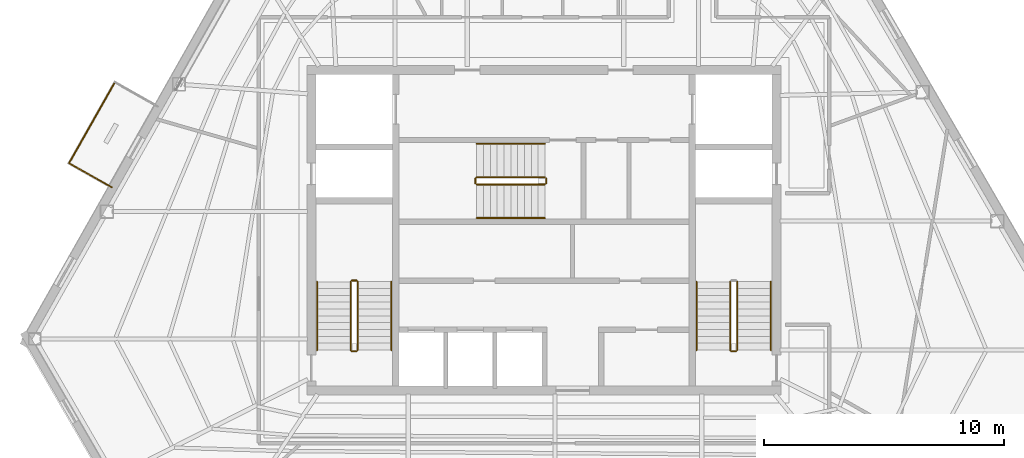
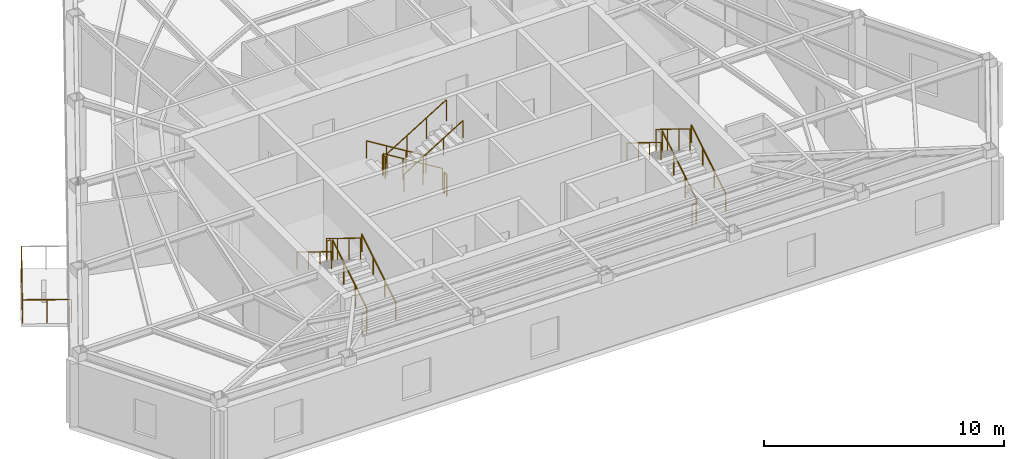
# One storey, part 8 of 10: 19 railings.
"""IFC4 building model written with IfcOpenShell, lengths in metres."""

from ifc_helpers import new_model, si_unit, direction, frame, origin, origin_2d, place, context, subcontext, project, spatial, circle, extrude, material, type_object, element, save


model = new_model("IFC4")

# Units and contexts
model_context = context("Model", 3, precision=1e-05, world=origin(), true_north=direction((0.0, 1.0)))
body_context = subcontext(model_context, "Body", "Model", "MODEL_VIEW")
ifc_project = project(units=[si_unit("LENGTHUNIT", "METRE"), si_unit("AREAUNIT", "SQUARE_METRE"), si_unit("VOLUMEUNIT", "CUBIC_METRE"), si_unit("PLANEANGLEUNIT", "RADIAN"), si_unit("MASSUNIT", "GRAM", prefix="KILO")], contexts=[model_context])

# Site, building, storey
site_placement = place(None, origin())
site = spatial("IfcSite", under=ifc_project, at=site_placement, CompositionType="ELEMENT")
building_placement = place(site_placement, origin())
building = spatial("IfcBuilding", under=site, at=building_placement, Name="Kavelnor Concourse Tower", CompositionType="ELEMENT")
storey_placement = place(building_placement, frame((0.0, 0.0, 247.199951171875)))
storey = spatial("IfcBuildingStorey", under=building, at=storey_placement, Name="L62", CompositionType="ELEMENT", Elevation=247.199951171875)

# Railings
ifc_material_1 = material(Name="Steel Grade 350", Category="steel")
railing_type_1 = type_object("IfcRailingType", Name="RLG-GUARD-1100", PredefinedType="GUARDRAIL", material=ifc_material_1)
railing_1_placement = place(storey_placement, frame((30.22998046875, 11.10009765625, 0.175048828125)))
element("IfcRailing", 1, at=railing_1_placement, inside=storey, type_object=railing_type_1, Name="L62 ST1 stair guard 1", PredefinedType="GUARDRAIL", context=body_context, shape_type="SweptSolid", body=[
    extrude(circle(Radius=0.02392578125, at=origin_2d()), frame((0.0, 0.0, 1.076171875), z_axis=(0.0, 0.852159232446, 0.523282564737), x_axis=(-1.0, 0.0, 0.0)), (0.0, 0.0, 1.0), 3.34423828125),
    extrude(circle(Radius=0.02099609375, at=origin_2d()), origin(), (0.0, 0.0, 1.0), 1.052001953125),
    extrude(circle(Radius=0.02099609375, at=origin_2d()), frame((0.0, 0.949951171875, 0.583251953125)), (0.0, 0.0, 1.0), 1.052001953125),
    extrude(circle(Radius=0.02099609375, at=origin_2d()), frame((0.0, 1.89990234375, 1.166748046875)), (0.0, 0.0, 1.0), 1.052001953125),
    extrude(circle(Radius=0.02099609375, at=origin_2d()), frame((0.0, 2.849853515625, 1.75)), (0.0, 0.0, 1.0), 1.052001953125),
])
railing_2_placement = place(storey_placement, frame((30.179931640625, 14.0, 1.925048828125)))
element("IfcRailing", 2, at=railing_2_placement, inside=storey, type_object=railing_type_1, Name="L62 ST1 stair guard 2", PredefinedType="GUARDRAIL", context=body_context, shape_type="SweptSolid", body=[
    extrude(circle(Radius=0.02392578125, at=origin_2d()), frame((0.0, 0.0, 1.076171875), z_axis=(-1.0, 0.0, 0.0), x_axis=(0.0, -1.0, 0.0)), (0.0, 0.0, 1.0), 0.199951171875),
    extrude(circle(Radius=0.02099609375, at=origin_2d()), origin(), (0.0, 0.0, 1.0), 1.052001953125),
    extrude(circle(Radius=0.02099609375, at=origin_2d()), frame((-0.199951171875, 0.0, 0.0)), (0.0, 0.0, 1.0), 1.052001953125),
])
railing_3_placement = place(storey_placement, frame((29.929931640625, 13.949951171875, 2.10009765625)))
element("IfcRailing", 3, at=railing_3_placement, inside=storey, type_object=railing_type_1, Name="L62 ST1 stair guard 3", PredefinedType="GUARDRAIL", context=body_context, shape_type="SweptSolid", body=[
    extrude(circle(Radius=0.02392578125, at=origin_2d()), frame((0.0, 0.0, 1.076171875), z_axis=(0.0, -0.852159232446, 0.523282564737), x_axis=(1.0, 0.0, 0.0)), (0.0, 0.0, 1.0), 3.34423828125),
    extrude(circle(Radius=0.02099609375, at=origin_2d()), origin(), (0.0, 0.0, 1.0), 1.052001953125),
    extrude(circle(Radius=0.02099609375, at=origin_2d()), frame((0.0, -0.949951171875, 0.583251953125)), (0.0, 0.0, 1.0), 1.052001953125),
    extrude(circle(Radius=0.02099609375, at=origin_2d()), frame((0.0, -1.89990234375, 1.166748046875)), (0.0, 0.0, 1.0), 1.052001953125),
    extrude(circle(Radius=0.02099609375, at=origin_2d()), frame((0.0, -2.849853515625, 1.75)), (0.0, 0.0, 1.0), 1.052001953125),
])
railing_4_placement = place(storey_placement, frame((30.179931640625, 11.050048828125, 0.0)))
element("IfcRailing", 4, at=railing_4_placement, inside=storey, type_object=railing_type_1, Name="L62 ST1 stair guard 4", PredefinedType="GUARDRAIL", context=body_context, shape_type="SweptSolid", body=[
    extrude(circle(Radius=0.02392578125, at=origin_2d()), frame((0.0, 0.0, 1.076171875), z_axis=(-1.0, 0.0, 0.0), x_axis=(0.0, -1.0, 0.0)), (0.0, 0.0, 1.0), 0.199951171875),
    extrude(circle(Radius=0.02099609375, at=origin_2d()), origin(), (0.0, 0.0, 1.0), 1.052001953125),
    extrude(circle(Radius=0.02099609375, at=origin_2d()), frame((-0.199951171875, 0.0, 0.0)), (0.0, 0.0, 1.0), 1.052001953125),
])
railing_5_placement = place(storey_placement, frame((46.070068359375, 11.10009765625, 0.175048828125)))
element("IfcRailing", 5, at=railing_5_placement, inside=storey, type_object=railing_type_1, Name="L62 ST2 stair guard 1", PredefinedType="GUARDRAIL", context=body_context, shape_type="SweptSolid", body=[
    extrude(circle(Radius=0.02392578125, at=origin_2d()), frame((0.0, 0.0, 1.076171875), z_axis=(0.0, 0.852159232446, 0.523282564737), x_axis=(-1.0, 0.0, 0.0)), (0.0, 0.0, 1.0), 3.34423828125),
    extrude(circle(Radius=0.02099609375, at=origin_2d()), origin(), (0.0, 0.0, 1.0), 1.052001953125),
    extrude(circle(Radius=0.02099609375, at=origin_2d()), frame((0.0, 0.949951171875, 0.583251953125)), (0.0, 0.0, 1.0), 1.052001953125),
    extrude(circle(Radius=0.02099609375, at=origin_2d()), frame((0.0, 1.89990234375, 1.166748046875)), (0.0, 0.0, 1.0), 1.052001953125),
    extrude(circle(Radius=0.02099609375, at=origin_2d()), frame((0.0, 2.849853515625, 1.75)), (0.0, 0.0, 1.0), 1.052001953125),
])
railing_6_placement = place(storey_placement, frame((45.77001953125, 13.949951171875, 2.10009765625)))
element("IfcRailing", 6, at=railing_6_placement, inside=storey, type_object=railing_type_1, Name="L62 ST2 stair guard 3", PredefinedType="GUARDRAIL", context=body_context, shape_type="SweptSolid", body=[
    extrude(circle(Radius=0.02392578125, at=origin_2d()), frame((0.0, 0.0, 1.076171875), z_axis=(0.0, -0.852159232446, 0.523282564737), x_axis=(1.0, 0.0, 0.0)), (0.0, 0.0, 1.0), 3.34423828125),
    extrude(circle(Radius=0.02099609375, at=origin_2d()), origin(), (0.0, 0.0, 1.0), 1.052001953125),
    extrude(circle(Radius=0.02099609375, at=origin_2d()), frame((0.0, -0.949951171875, 0.583251953125)), (0.0, 0.0, 1.0), 1.052001953125),
    extrude(circle(Radius=0.02099609375, at=origin_2d()), frame((0.0, -1.89990234375, 1.166748046875)), (0.0, 0.0, 1.0), 1.052001953125),
    extrude(circle(Radius=0.02099609375, at=origin_2d()), frame((0.0, -2.849853515625, 1.75)), (0.0, 0.0, 1.0), 1.052001953125),
])
railing_7_placement = place(storey_placement, frame((46.02001953125, 11.050048828125, 0.0)))
element("IfcRailing", 7, at=railing_7_placement, inside=storey, type_object=railing_type_1, Name="L62 ST2 stair guard 4", PredefinedType="GUARDRAIL", context=body_context, shape_type="SweptSolid", body=[
    extrude(circle(Radius=0.02392578125, at=origin_2d()), frame((0.0, 0.0, 1.076171875), z_axis=(-1.0, 0.0, 0.0), x_axis=(0.0, -1.0, 0.0)), (0.0, 0.0, 1.0), 0.199951171875),
    extrude(circle(Radius=0.02099609375, at=origin_2d()), origin(), (0.0, 0.0, 1.0), 1.052001953125),
    extrude(circle(Radius=0.02099609375, at=origin_2d()), frame((-0.199951171875, 0.0, 0.0)), (0.0, 0.0, 1.0), 1.052001953125),
])
railing_8_placement = place(storey_placement, frame((38.0400390625, 18.31005859375, 0.175048828125)))
element("IfcRailing", 8, at=railing_8_placement, inside=storey, type_object=railing_type_1, Name="L62 ST3 stair guard 1", PredefinedType="GUARDRAIL", context=body_context, shape_type="SweptSolid", body=[
    extrude(circle(Radius=0.02392578125, at=origin_2d()), frame((0.0, 0.0, 1.076171875), z_axis=(-0.852179220489, 0.0, 0.52325001306), x_axis=(0.0, -1.0, 0.0)), (0.0, 0.0, 1.0), 3.344482421875),
    extrude(circle(Radius=0.02099609375, at=origin_2d()), origin(), (0.0, 0.0, 1.0), 1.052001953125),
    extrude(circle(Radius=0.02099609375, at=origin_2d()), frame((-0.949951171875, 0.0, 0.583251953125)), (0.0, 0.0, 1.0), 1.052001953125),
    extrude(circle(Radius=0.02099609375, at=origin_2d()), frame((-1.900146484375, 0.0, 1.166748046875)), (0.0, 0.0, 1.0), 1.052001953125),
    extrude(circle(Radius=0.02099609375, at=origin_2d()), frame((-2.85009765625, 0.0, 1.75)), (0.0, 0.0, 1.0), 1.052001953125),
])
railing_9_placement = place(storey_placement, frame((35.139892578125, 18.260009765625, 1.925048828125)))
element("IfcRailing", 9, at=railing_9_placement, inside=storey, type_object=railing_type_1, Name="L62 ST3 stair guard 2", PredefinedType="GUARDRAIL", context=body_context, shape_type="SweptSolid", body=[
    extrude(circle(Radius=0.02392578125, at=origin_2d()), frame((0.0, 0.0, 1.076171875), z_axis=(0.0, -1.0, 0.0), x_axis=(1.0, 0.0, 0.0)), (0.0, 0.0, 1.0), 0.199951171875),
    extrude(circle(Radius=0.02099609375, at=origin_2d()), origin(), (0.0, 0.0, 1.0), 1.052001953125),
    extrude(circle(Radius=0.02099609375, at=origin_2d()), frame((0.0, -0.199951171875, 0.0)), (0.0, 0.0, 1.0), 1.052001953125),
])
railing_10_placement = place(storey_placement, frame((35.18994140625, 18.010009765625, 2.10009765625)))
element("IfcRailing", 10, at=railing_10_placement, inside=storey, type_object=railing_type_1, Name="L62 ST3 stair guard 3", PredefinedType="GUARDRAIL", context=body_context, shape_type="SweptSolid", body=[
    extrude(circle(Radius=0.02392578125, at=origin_2d()), frame((0.0, 0.0, 1.076171875), z_axis=(0.852179220489, 0.0, 0.52325001306), x_axis=(0.0, 1.0, 0.0)), (0.0, 0.0, 1.0), 3.344482421875),
    extrude(circle(Radius=0.02099609375, at=origin_2d()), origin(), (0.0, 0.0, 1.0), 1.052001953125),
    extrude(circle(Radius=0.02099609375, at=origin_2d()), frame((0.949951171875, 0.0, 0.583251953125)), (0.0, 0.0, 1.0), 1.052001953125),
    extrude(circle(Radius=0.02099609375, at=origin_2d()), frame((1.900146484375, 0.0, 1.166748046875)), (0.0, 0.0, 1.0), 1.052001953125),
    extrude(circle(Radius=0.02099609375, at=origin_2d()), frame((2.85009765625, 0.0, 1.75)), (0.0, 0.0, 1.0), 1.052001953125),
])
railing_11_placement = place(storey_placement, frame((38.090087890625, 18.260009765625, 0.0)))
element("IfcRailing", 11, at=railing_11_placement, inside=storey, type_object=railing_type_1, Name="L62 ST3 stair guard 4", PredefinedType="GUARDRAIL", context=body_context, shape_type="SweptSolid", body=[
    extrude(circle(Radius=0.02392578125, at=origin_2d()), frame((0.0, 0.0, 1.076171875), z_axis=(0.0, -1.0, 0.0), x_axis=(1.0, 0.0, 0.0)), (0.0, 0.0, 1.0), 0.199951171875),
    extrude(circle(Radius=0.02099609375, at=origin_2d()), origin(), (0.0, 0.0, 1.0), 1.052001953125),
    extrude(circle(Radius=0.02099609375, at=origin_2d()), frame((0.0, -0.199951171875, 0.0)), (0.0, 0.0, 1.0), 1.052001953125),
])
railing_type_2 = type_object("IfcRailingType", Name="RLG-HANDRAIL-900", PredefinedType="HANDRAIL", material=ifc_material_1)
railing_12_placement = place(storey_placement, frame((31.6298828125, 11.10009765625, 0.175048828125)))
element("IfcRailing", 12, at=railing_12_placement, inside=storey, type_object=railing_type_2, Name="L62 ST1 stair handrail 1", PredefinedType="HANDRAIL", context=body_context, shape_type="SweptSolid", body=[
    extrude(circle(Radius=0.02392578125, at=origin_2d()), frame((0.0, 0.0, 0.8759765625), z_axis=(0.0, 0.852159232446, 0.523282564737), x_axis=(-1.0, 0.0, 0.0)), (0.0, 0.0, 1.0), 3.34423828125),
    extrude(circle(Radius=0.02099609375, at=origin_2d()), origin(), (0.0, 0.0, 1.0), 0.851806640625),
    extrude(circle(Radius=0.02099609375, at=origin_2d()), frame((0.0, 0.949951171875, 0.583251953125)), (0.0, 0.0, 1.0), 0.851806640625),
    extrude(circle(Radius=0.02099609375, at=origin_2d()), frame((0.0, 1.89990234375, 1.166748046875)), (0.0, 0.0, 1.0), 0.851806640625),
    extrude(circle(Radius=0.02099609375, at=origin_2d()), frame((0.0, 2.849853515625, 1.75)), (0.0, 0.0, 1.0), 0.851806640625),
])
railing_13_placement = place(storey_placement, frame((28.530029296875, 13.949951171875, 2.10009765625)))
element("IfcRailing", 13, at=railing_13_placement, inside=storey, type_object=railing_type_2, Name="L62 ST1 stair handrail 2", PredefinedType="HANDRAIL", context=body_context, shape_type="SweptSolid", body=[
    extrude(circle(Radius=0.02392578125, at=origin_2d()), frame((0.0, 0.0, 0.8759765625), z_axis=(0.0, -0.852159232446, 0.523282564737), x_axis=(1.0, 0.0, 0.0)), (0.0, 0.0, 1.0), 3.34423828125),
    extrude(circle(Radius=0.02099609375, at=origin_2d()), origin(), (0.0, 0.0, 1.0), 0.851806640625),
    extrude(circle(Radius=0.02099609375, at=origin_2d()), frame((0.0, -0.949951171875, 0.583251953125)), (0.0, 0.0, 1.0), 0.851806640625),
    extrude(circle(Radius=0.02099609375, at=origin_2d()), frame((0.0, -1.89990234375, 1.166748046875)), (0.0, 0.0, 1.0), 0.851806640625),
    extrude(circle(Radius=0.02099609375, at=origin_2d()), frame((0.0, -2.849853515625, 1.75)), (0.0, 0.0, 1.0), 0.851806640625),
])
railing_14_placement = place(storey_placement, frame((47.469970703125, 11.10009765625, 0.175048828125)))
element("IfcRailing", 14, at=railing_14_placement, inside=storey, type_object=railing_type_2, Name="L62 ST2 stair handrail 1", PredefinedType="HANDRAIL", context=body_context, shape_type="SweptSolid", body=[
    extrude(circle(Radius=0.02392578125, at=origin_2d()), frame((0.0, 0.0, 0.8759765625), z_axis=(0.0, 0.852159232446, 0.523282564737), x_axis=(-1.0, 0.0, 0.0)), (0.0, 0.0, 1.0), 3.34423828125),
    extrude(circle(Radius=0.02099609375, at=origin_2d()), origin(), (0.0, 0.0, 1.0), 0.851806640625),
    extrude(circle(Radius=0.02099609375, at=origin_2d()), frame((0.0, 0.949951171875, 0.583251953125)), (0.0, 0.0, 1.0), 0.851806640625),
    extrude(circle(Radius=0.02099609375, at=origin_2d()), frame((0.0, 1.89990234375, 1.166748046875)), (0.0, 0.0, 1.0), 0.851806640625),
    extrude(circle(Radius=0.02099609375, at=origin_2d()), frame((0.0, 2.849853515625, 1.75)), (0.0, 0.0, 1.0), 0.851806640625),
])
railing_15_placement = place(storey_placement, frame((44.3701171875, 13.949951171875, 2.10009765625)))
element("IfcRailing", 15, at=railing_15_placement, inside=storey, type_object=railing_type_2, Name="L62 ST2 stair handrail 2", PredefinedType="HANDRAIL", context=body_context, shape_type="SweptSolid", body=[
    extrude(circle(Radius=0.02392578125, at=origin_2d()), frame((0.0, 0.0, 0.8759765625), z_axis=(0.0, -0.852159232446, 0.523282564737), x_axis=(1.0, 0.0, 0.0)), (0.0, 0.0, 1.0), 3.34423828125),
    extrude(circle(Radius=0.02099609375, at=origin_2d()), origin(), (0.0, 0.0, 1.0), 0.851806640625),
    extrude(circle(Radius=0.02099609375, at=origin_2d()), frame((0.0, -0.949951171875, 0.583251953125)), (0.0, 0.0, 1.0), 0.851806640625),
    extrude(circle(Radius=0.02099609375, at=origin_2d()), frame((0.0, -1.89990234375, 1.166748046875)), (0.0, 0.0, 1.0), 0.851806640625),
    extrude(circle(Radius=0.02099609375, at=origin_2d()), frame((0.0, -2.849853515625, 1.75)), (0.0, 0.0, 1.0), 0.851806640625),
])
railing_16_placement = place(storey_placement, frame((38.0400390625, 19.7099609375, 0.175048828125)))
element("IfcRailing", 16, at=railing_16_placement, inside=storey, type_object=railing_type_2, Name="L62 ST3 stair handrail 1", PredefinedType="HANDRAIL", context=body_context, shape_type="SweptSolid", body=[
    extrude(circle(Radius=0.02392578125, at=origin_2d()), frame((0.0, 0.0, 0.8759765625), z_axis=(-0.852179220489, 0.0, 0.52325001306), x_axis=(0.0, -1.0, 0.0)), (0.0, 0.0, 1.0), 3.344482421875),
    extrude(circle(Radius=0.02099609375, at=origin_2d()), origin(), (0.0, 0.0, 1.0), 0.851806640625),
    extrude(circle(Radius=0.02099609375, at=origin_2d()), frame((-0.949951171875, 0.0, 0.583251953125)), (0.0, 0.0, 1.0), 0.851806640625),
    extrude(circle(Radius=0.02099609375, at=origin_2d()), frame((-1.900146484375, 0.0, 1.166748046875)), (0.0, 0.0, 1.0), 0.851806640625),
    extrude(circle(Radius=0.02099609375, at=origin_2d()), frame((-2.85009765625, 0.0, 1.75)), (0.0, 0.0, 1.0), 0.851806640625),
])
railing_17_placement = place(storey_placement, frame((35.18994140625, 16.610107421875, 2.10009765625)))
element("IfcRailing", 17, at=railing_17_placement, inside=storey, type_object=railing_type_2, Name="L62 ST3 stair handrail 2", PredefinedType="HANDRAIL", context=body_context, shape_type="SweptSolid", body=[
    extrude(circle(Radius=0.02392578125, at=origin_2d()), frame((0.0, 0.0, 0.8759765625), z_axis=(0.852179220489, 0.0, 0.52325001306), x_axis=(0.0, 1.0, 0.0)), (0.0, 0.0, 1.0), 3.344482421875),
    extrude(circle(Radius=0.02099609375, at=origin_2d()), origin(), (0.0, 0.0, 1.0), 0.851806640625),
    extrude(circle(Radius=0.02099609375, at=origin_2d()), frame((0.949951171875, 0.0, 0.583251953125)), (0.0, 0.0, 1.0), 0.851806640625),
    extrude(circle(Radius=0.02099609375, at=origin_2d()), frame((1.900146484375, 0.0, 1.166748046875)), (0.0, 0.0, 1.0), 0.851806640625),
    extrude(circle(Radius=0.02099609375, at=origin_2d()), frame((2.85009765625, 0.0, 1.75)), (0.0, 0.0, 1.0), 0.851806640625),
])
ifc_material_2 = material(Name="Architectural bronze-anodised aluminium", Category="aluminium")
railing_type_3 = type_object("IfcRailingType", Name="RLG-TERRACE-1200", PredefinedType="BALUSTRADE", material=ifc_material_2)
railing_18_placement = place(storey_placement, frame((20.087646484375, 22.275390625, 0.0)))
element("IfcRailing", 18, at=railing_18_placement, inside=storey, type_object=railing_type_3, Name="L62 Tree Balcony 2 Guardrail F", PredefinedType="BALUSTRADE", context=body_context, shape_type="SweptSolid", body=[
    extrude(circle(Radius=0.02392578125, at=origin_2d()), frame((0.0, 0.0, 1.17578125), z_axis=(-0.492312264419, -0.870418654615, 0.0), x_axis=(0.870418654615, -0.492312264419, 0.0)), (0.0, 0.0, 1.0), 3.8798828125),
    extrude(circle(Radius=0.02099609375, at=origin_2d()), origin(), (0.0, 0.0, 1.0), 1.15185546875),
    extrude(circle(Radius=0.02099609375, at=origin_2d()), frame((-0.4775390625, -0.84423828125, 0.0)), (0.0, 0.0, 1.0), 1.15185546875),
    extrude(circle(Radius=0.02099609375, at=origin_2d()), frame((-0.955078125, -1.6884765625, 0.0)), (0.0, 0.0, 1.0), 1.15185546875),
    extrude(circle(Radius=0.02099609375, at=origin_2d()), frame((-1.4326171875, -2.532958984375, 0.0)), (0.0, 0.0, 1.0), 1.15185546875),
    extrude(circle(Radius=0.02099609375, at=origin_2d()), frame((-1.91015625, -3.377197265625, 0.0)), (0.0, 0.0, 1.0), 1.15185546875),
])
railing_19_placement = place(storey_placement, frame((18.177490234375, 18.898193359375, 0.0)))
element("IfcRailing", 19, at=railing_19_placement, inside=storey, type_object=railing_type_3, Name="L62 Tree Balcony 2 Guardrail R", PredefinedType="BALUSTRADE", context=body_context, shape_type="SweptSolid", body=[
    extrude(circle(Radius=0.02392578125, at=origin_2d()), frame((0.0, 0.0, 1.17578125), z_axis=(0.870469662384, -0.492222070685, 0.0), x_axis=(0.492222070685, 0.870469662384, 0.0)), (0.0, 0.0, 1.0), 2.050048828125),
    extrude(circle(Radius=0.02099609375, at=origin_2d()), origin(), (0.0, 0.0, 1.0), 1.15185546875),
    extrude(circle(Radius=0.02099609375, at=origin_2d()), frame((0.89208984375, -0.50439453125, 0.0)), (0.0, 0.0, 1.0), 1.15185546875),
    extrude(circle(Radius=0.02099609375, at=origin_2d()), frame((1.784423828125, -1.009033203125, 0.0)), (0.0, 0.0, 1.0), 1.15185546875),
])

save(model, "model.ifc")
